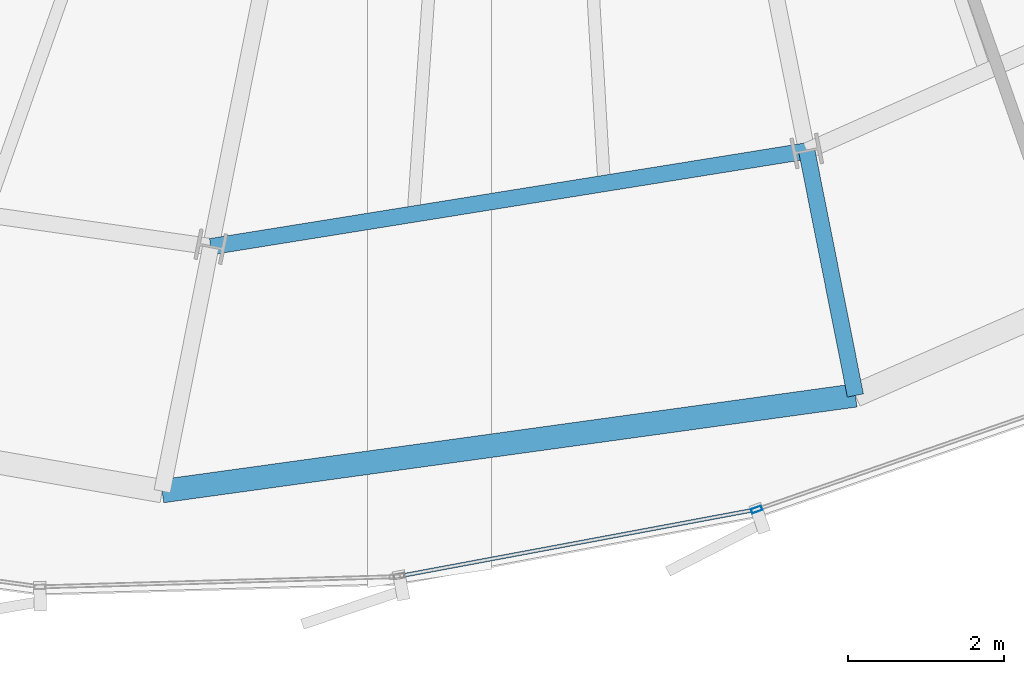
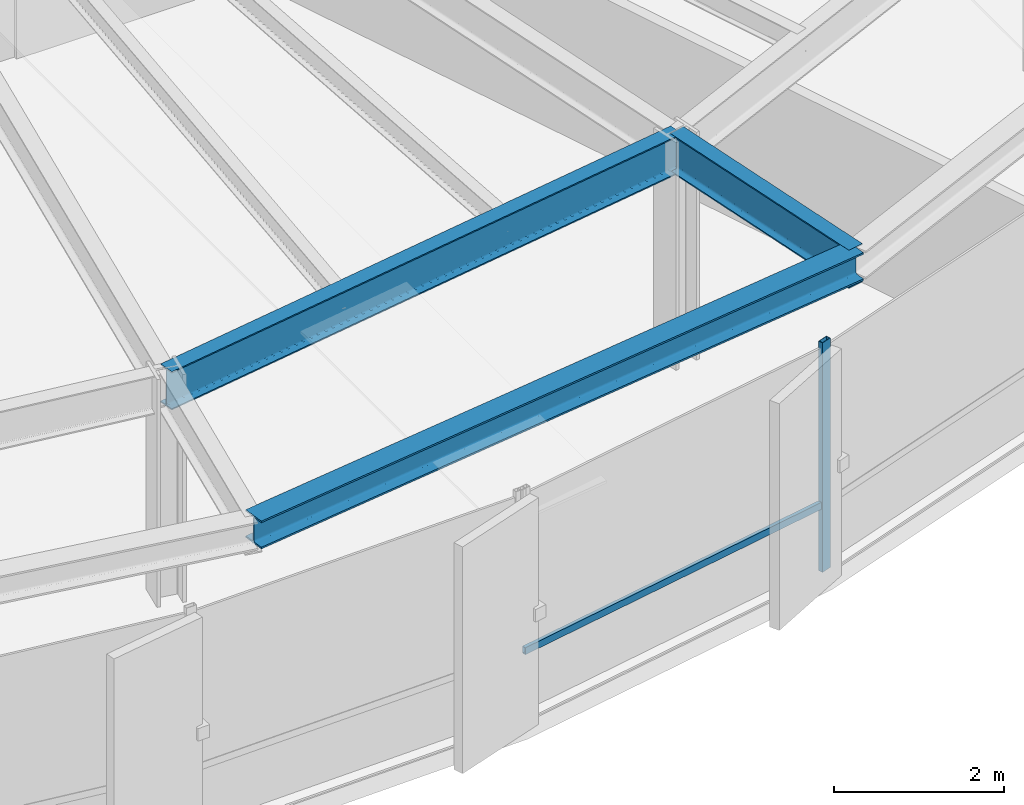
# One storey, part 6 of 32: 3 beams, 2 members, 1 element without a shape of its own.
"""IFC4 building model written with IfcOpenShell, lengths in metres."""

from ifc_helpers import new_model, si_unit, direction, frame, origin, origin_2d, place, context, subcontext, project, spatial, hollow_rectangle, i_section, extrude, source, transform, mapped, material, layer, layer_set, material_profile, profile_set, type_object, element, aggregate, save


model = new_model("IFC4")

# Units and contexts
model_context = context("Model", 3, precision=1e-05, world=origin(), true_north=direction((0.0, 1.0)))
body_context = subcontext(model_context, "Body", "Model", "MODEL_VIEW")
ifc_project = project(units=[si_unit("LENGTHUNIT", "METRE"), si_unit("AREAUNIT", "SQUARE_METRE"), si_unit("VOLUMEUNIT", "CUBIC_METRE"), si_unit("PLANEANGLEUNIT", "RADIAN"), si_unit("MASSUNIT", "GRAM", prefix="KILO"), si_unit("THERMODYNAMICTEMPERATUREUNIT", "KELVIN")], contexts=[model_context])

# Site, building, storey
site_placement = place(None, origin())
site = spatial("IfcSite", under=ifc_project, at=site_placement, CompositionType="ELEMENT")
building_placement = place(site_placement, origin())
building = spatial("IfcBuilding", under=site, at=building_placement, Name="Kethvar Cultural Tower", CompositionType="ELEMENT")
storey_placement = place(building_placement, frame((0.0, 0.0, 160.75)))
storey = spatial("IfcBuildingStorey", under=building, at=storey_placement, Name="L41", CompositionType="ELEMENT", Elevation=160.75)

# Beams
ifc_material_1 = material(Name="Steel S355J2", Category="steel")
ifc_material_profile_1 = material_profile(ifc_material_1, i_section(OverallWidth=0.2099609375, OverallDepth=0.550048828125, WebThickness=0.010986328125, FlangeThickness=0.01708984375, FilletRadius=0.02392578125, at=origin_2d()), Name="Steel S355J2 — IPE550")
ifc_profile_set_1 = profile_set([ifc_material_profile_1], Name="Steel S355J2 — IPE550")
beam_type_1 = type_object("IfcBeamType", Name="BM-IPE550", PredefinedType="BEAM", material=ifc_profile_set_1)
shared_shape_1 = source(origin(), body_context, "Body", "SweptSolid", [
    extrude(i_section(OverallWidth=0.2099609375, OverallDepth=0.550048828125, WebThickness=0.010986328125, FlangeThickness=0.01708984375, FilletRadius=0.02392578125, at=origin_2d()), origin(), (0.0, 0.0, 1.0), 3.2001953125),
])
beam_1_placement = place(storey_placement, frame((50.50341796875, 9.182373046875, 3.02294921875), z_axis=(0.195074368086, -0.980788453702, 0.0), x_axis=(0.980788453702, 0.195074368086, 0.0)))
element("IfcBeam", 1, at=beam_1_placement, inside=storey, type_object=beam_type_1, Name="L41 Perimeter Cantilever Beam RC-13", PredefinedType="BEAM", context=body_context, shape_type="MappedRepresentation", body=[
    mapped(shared_shape_1, transform((0.0, 0.0, 0.0), scale=1.0)),
])
shared_shape_2 = source(origin(), body_context, "Body", "SweptSolid", [
    extrude(i_section(OverallWidth=0.2099609375, OverallDepth=0.550048828125, WebThickness=0.010986328125, FlangeThickness=0.01708984375, FilletRadius=0.02392578125, at=origin_2d()), origin(), (0.0, 0.0, 1.0), 7.749267578125),
])
beam_2_placement = place(storey_placement, frame((42.852294921875, 7.95361328125, 3.02294921875), z_axis=(0.987348257569, 0.158566762831, 0.0), x_axis=(-0.158566762831, 0.987348257569, 0.0)))
element("IfcBeam", 2, at=beam_2_placement, inside=storey, type_object=beam_type_1, Name="L41 Column Ring Tie Beam CR-12", PredefinedType="BEAM", context=body_context, shape_type="MappedRepresentation", body=[
    mapped(shared_shape_2, transform((0.0, 0.0, 0.0), scale=1.0)),
])
ifc_material_profile_2 = material_profile(ifc_material_1, i_section(OverallWidth=0.300048828125, OverallDepth=0.39990234375, WebThickness=0.013427734375, FlangeThickness=0.02392578125, FilletRadius=0.027099609375, at=origin_2d()), Name="Steel S355J2 — HEB400")
ifc_profile_set_2 = profile_set([ifc_material_profile_2], Name="Steel S355J2 — HEB400")
beam_type_2 = type_object("IfcBeamType", Name="BM-SP400", PredefinedType="SPANDREL", material=ifc_profile_set_2)
shared_shape_3 = source(origin(), body_context, "Body", "SweptSolid", [
    extrude(i_section(OverallWidth=0.300048828125, OverallDepth=0.39990234375, WebThickness=0.013427734375, FlangeThickness=0.02392578125, FilletRadius=0.027099609375, at=origin_2d()), origin(), (0.0, 0.0, 1.0), 8.984130859375),
])
beam_3_placement = place(storey_placement, frame((42.22802734375, 4.81494140625, 3.097900390625), z_axis=(0.990602728928, 0.136770733127, 0.0), x_axis=(-0.136770733127, 0.990602728928, 0.0)))
element("IfcBeam", 3, at=beam_3_placement, inside=storey, type_object=beam_type_2, Name="L41 Perimeter Spandrel Beam SP-12", PredefinedType="SPANDREL", context=body_context, shape_type="MappedRepresentation", body=[
    mapped(shared_shape_3, transform((0.0, 0.0, 0.0), scale=1.0)),
])

# Curtain wall, members
ifc_material_2 = material(Name="Aluminium 6063-T6", Category="aluminium")
ifc_layer = layer(ifc_material_2, 0.179931640625, Name="Aluminium 6063-T6", Category="aluminium")
ifc_layer_set = layer_set([ifc_layer], Name="Aluminium 6063-T6 (180 mm)")
curtain_wall_type = type_object("IfcCurtainWallType", Name="CW-SYS-04-Z34", PredefinedType="NOTDEFINED", material=ifc_layer_set)
curtain_wall_placement = place(storey_placement, origin())
curtain_wall = element("IfcCurtainWall", 4, at=curtain_wall_placement, inside=storey, type_object=curtain_wall_type, Name="L41 Curtain Wall Run 05", PredefinedType="NOTDEFINED")
ifc_material_profile_3 = material_profile(ifc_material_2, hollow_rectangle(XDim=0.06005859375, YDim=0.139892578125, WallThickness=0.0048828125, at=origin_2d()), Name="Aluminium 6063-T6 — RHS140x60x5")
ifc_profile_set_3 = profile_set([ifc_material_profile_3], Name="Aluminium 6063-T6 — RHS140x60x5")
member_type_1 = type_object("IfcMemberType", Name="CW-SYS-04-Z34-MUL", PredefinedType="MULLION", material=ifc_profile_set_3)
shared_shape_4 = source(origin(), body_context, "Body", "SweptSolid", [
    extrude(hollow_rectangle(XDim=0.06005859375, YDim=0.139892578125, WallThickness=0.0048828125, at=origin_2d()), origin(), (0.0, 0.0, 1.0), 3.300048828125),
])
member_1_placement = place(storey_placement, frame((49.859375, 4.578857421875, 0.0), z_axis=(0.0, 0.0, 1.0), x_axis=(-0.327399310115, 0.944886073416, 0.0)))
member_1 = element("IfcMember", 5, at=member_1_placement, type_object=member_type_1, Name="CW-L41-R05 Mullion 2", PredefinedType="MULLION", context=body_context, shape_type="MappedRepresentation", body=[
    mapped(shared_shape_4, transform((0.0, 0.0, 0.0), scale=1.0)),
])
ifc_material_profile_4 = material_profile(ifc_material_2, hollow_rectangle(XDim=0.050048828125, YDim=0.10009765625, WallThickness=0.00390625, at=origin_2d()), Name="Aluminium 6063-T6 — RHS100x50x4")
ifc_profile_set_4 = profile_set([ifc_material_profile_4], Name="Aluminium 6063-T6 — RHS100x50x4")
member_type_2 = type_object("IfcMemberType", Name="CW-SYS-04-Z34-TRN", PredefinedType="USERDEFINED", material=ifc_profile_set_4)
shared_shape_5 = source(origin(), body_context, "Body", "SweptSolid", [
    extrude(hollow_rectangle(XDim=0.050048828125, YDim=0.10009765625, WallThickness=0.00390625, at=origin_2d()), origin(), (0.0, 0.0, 1.0), 4.63525390625),
])
member_2_placement = place(storey_placement, frame((45.2763671875, 3.72412109375, 0.949951171875), z_axis=(0.982998960209, 0.183611122289, 0.0), x_axis=(-0.183611122289, 0.982998960209, 0.0)))
member_2 = element("IfcMember", 6, at=member_2_placement, type_object=member_type_2, Name="CW-L41-R05 Transom 1", ObjectType="TRANSOM", PredefinedType="USERDEFINED", context=body_context, shape_type="MappedRepresentation", body=[
    mapped(shared_shape_5, transform((0.0, 0.0, 0.0), scale=1.0)),
])
aggregate(curtain_wall, [member_1, member_2])

save(model, "model.ifc")
